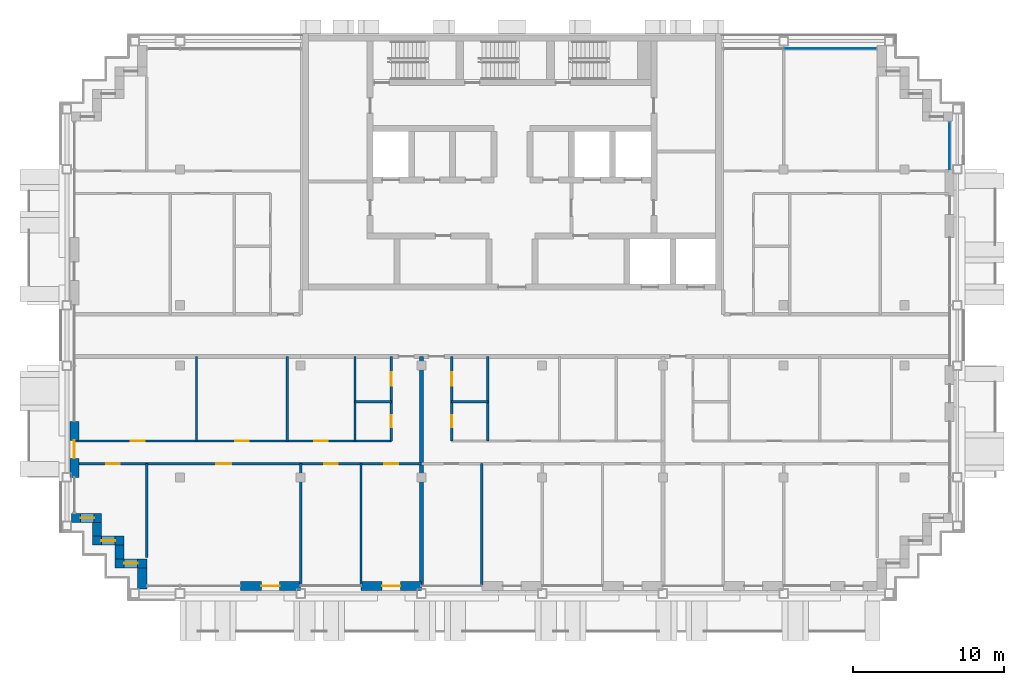
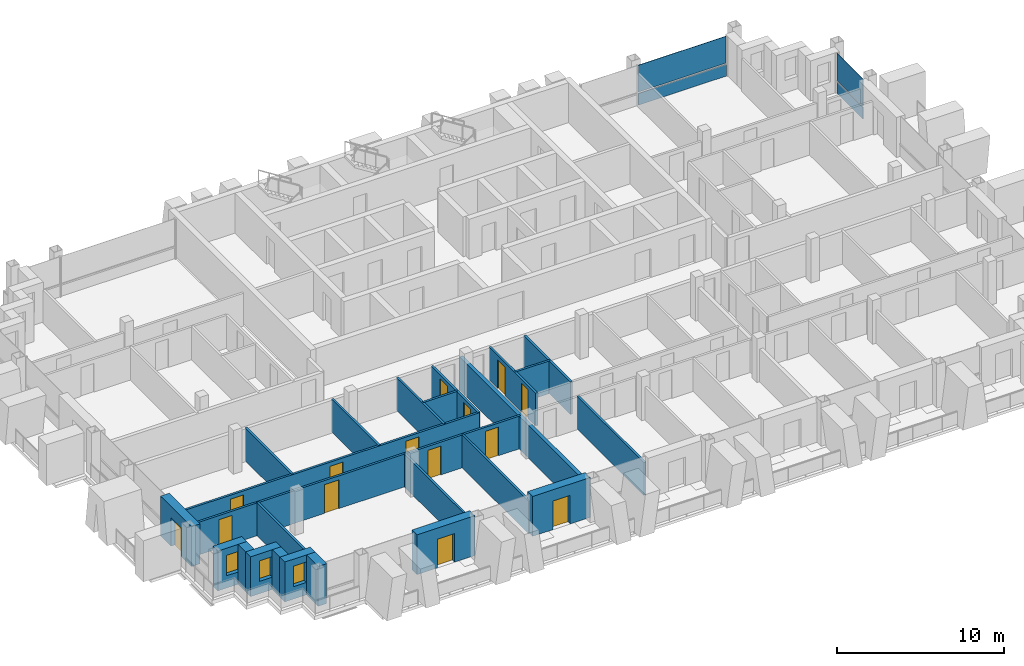
# One storey, part 7 of 16: 24 walls, 14 doors, 4 plates, 3 windows, 17 openings, 2 elements without a shape of their own.
"""IFC4 building model written with IfcOpenShell, lengths in metres."""

from ifc_helpers import new_model, si_unit, direction, frame, frame_2d, origin, origin_2d, place, context, subcontext, project, spatial, rectangle, extrude, material, layer, layer_set, type_object, element, fill, aggregate, save


model = new_model("IFC4")

# Units and contexts
model_context = context("Model", 3, precision=1e-05, world=origin(), true_north=direction((0.0, 1.0)))
body_context = subcontext(model_context, "Body", "Model", "MODEL_VIEW")
ifc_project = project(units=[si_unit("LENGTHUNIT", "METRE"), si_unit("AREAUNIT", "SQUARE_METRE"), si_unit("VOLUMEUNIT", "CUBIC_METRE"), si_unit("PLANEANGLEUNIT", "RADIAN"), si_unit("MASSUNIT", "GRAM", prefix="KILO")], contexts=[model_context])

# Site, building, storey
site_placement = place(None, origin())
site = spatial("IfcSite", under=ifc_project, at=site_placement, CompositionType="ELEMENT")
building_placement = place(site_placement, origin())
building = spatial("IfcBuilding", under=site, at=building_placement, Name="Vidyagriha Tower", CompositionType="ELEMENT")
storey_placement = place(building_placement, frame((0.0, 0.0, 230.0)))
storey = spatial("IfcBuildingStorey", under=building, at=storey_placement, Name="L60", CompositionType="ELEMENT", Elevation=230.0)

# Curtain wall, plate
ifc_material_1 = material(Name="Aluminium and glass curtain wall", Category="aluminium")
curtain_wall_type = type_object("IfcCurtainWallType", Name="Dwelling skin unitised curtain wall", PredefinedType="USERDEFINED", material=ifc_material_1)
curtain_wall_1_placement = place(storey_placement, origin())
curtain_wall_1 = element("IfcCurtainWall", 1, at=curtain_wall_1_placement, inside=storey, type_object=curtain_wall_type, Name="CW1 dwelling skin", ObjectType="UNITISED", PredefinedType="USERDEFINED")
ifc_material_2 = material(Name="Glass dark ceramic-fritted spandrel", Category="glass")
ifc_layer_1 = layer(ifc_material_2, 0.0400390625)
ifc_layer_set_1 = layer_set([ifc_layer_1], Name="Glass dark ceramic-fritted spandrel")
plate_type_1 = type_object("IfcPlateType", Name="Ceramic-fritted spandrel panel", PredefinedType="CURTAIN_PANEL", material=ifc_layer_set_1)
plate_1_placement = place(storey_placement, frame((21.08251953125, 19.0, 0.0), z_axis=(0.0, 0.0, 1.0), x_axis=(-1.0, 0.0, 0.0)))
plate_1 = element("IfcPlate", 2, at=plate_1_placement, type_object=plate_type_1, Name="CW1 panel 1.1", PredefinedType="CURTAIN_PANEL", context=body_context, shape_type="SweptSolid", body=[
    extrude(rectangle(XDim=6.094970703125, YDim=0.0400390625, at=origin_2d()), origin(), (0.0, 0.0, 1.0), 0.85009765625),
])

curtain_wall_2_placement = place(storey_placement, origin())
curtain_wall_2 = element("IfcCurtainWall", 3, at=curtain_wall_2_placement, inside=storey, type_object=curtain_wall_type, Name="CW1 dwelling skin", ObjectType="UNITISED", PredefinedType="USERDEFINED")
plate_2_placement = place(storey_placement, frame((29.0, 12.56494140625, 0.0), z_axis=(0.0, 0.0, 1.0), x_axis=(0.0, 1.0, 0.0)))
plate_2 = element("IfcPlate", 4, at=plate_2_placement, type_object=plate_type_1, Name="CW1 panel 1.1", PredefinedType="CURTAIN_PANEL", context=body_context, shape_type="SweptSolid", body=[
    extrude(rectangle(XDim=3.1298828125, YDim=0.0400390625, at=origin_2d()), origin(), (0.0, 0.0, 1.0), 0.85009765625),
])

# Plate
ifc_material_3 = material(Name="Glass dark ceramic-fritted", Category="glass")
ifc_layer_2 = layer(ifc_material_3, 0.028076171875)
ifc_layer_set_2 = layer_set([ifc_layer_2], Name="Glass dark ceramic-fritted")
plate_type_2 = type_object("IfcPlateType", Name="Dark ceramic-fritted vision glass panel", PredefinedType="CURTAIN_PANEL", material=ifc_layer_set_2)
plate_3_placement = place(storey_placement, frame((21.08251953125, 19.0, 0.9501953125), z_axis=(0.0, 0.0, 1.0), x_axis=(-1.0, 0.0, 0.0)))
plate_3 = element("IfcPlate", 5, at=plate_3_placement, type_object=plate_type_2, Name="CW1 panel 1.2", PredefinedType="CURTAIN_PANEL", context=body_context, shape_type="SweptSolid", body=[
    extrude(rectangle(XDim=6.094970703125, YDim=0.028076171875, at=origin_2d()), origin(), (0.0, 0.0, 1.0), 1.969970703125),
])

aggregate(curtain_wall_1, [plate_1, plate_3])

plate_4_placement = place(storey_placement, frame((29.0, 12.56494140625, 0.9501953125), z_axis=(0.0, 0.0, 1.0), x_axis=(0.0, 1.0, 0.0)))
plate_4 = element("IfcPlate", 6, at=plate_4_placement, type_object=plate_type_2, Name="CW1 panel 1.2", PredefinedType="CURTAIN_PANEL", context=body_context, shape_type="SweptSolid", body=[
    extrude(rectangle(XDim=3.1298828125, YDim=0.028076171875, at=origin_2d()), origin(), (0.0, 0.0, 1.0), 1.969970703125),
])

aggregate(curtain_wall_2, [plate_2, plate_4])

# Wall, opening, door
ifc_material_4 = material(Name="Precast concrete C40/50 with brick facing", Category="concrete")
ifc_layer_3 = layer(ifc_material_4, 0.60009765625)
ifc_layer_set_3 = layer_set([ifc_layer_3], Name="Precast concrete C40/50 with brick facing")
wall_type_1 = type_object("IfcWallType", Name="Brick-faced precast wall 600", PredefinedType="STANDARD", material=ifc_layer_set_3)
wall_1_placement = place(storey_placement, frame((-29.0, -5.699951171875, 0.0), z_axis=(0.0, 0.0, 1.0), x_axis=(0.0, -1.0, 0.0)))
wall_1 = element("IfcWall", 7, at=wall_1_placement, inside=storey, type_object=wall_type_1, Name="Brick door bay wall L60 R16.6", PredefinedType="STANDARD", context=body_context, shape_type="SweptSolid", body=[
    extrude(rectangle(XDim=3.699951171875, YDim=0.60009765625, at=frame_2d((1.85009765625, 0.0))), origin(), (0.0, 0.0, 1.0), 2.919921875),
])
opening_1_placement = place(wall_1_placement, frame((1.25, 0.0, 0.0)))
opening_1 = element("IfcOpeningElement", 8, at=opening_1_placement, cuts=wall_1, Name="Opening D60-61", PredefinedType="OPENING", context=body_context, shape_type="SweptSolid", body=[
    extrude(rectangle(XDim=1.199951171875, YDim=2.10009765625, at=frame_2d((0.60009765625, 1.050048828125))), frame((0.0, 0.31005859375, 0.0), z_axis=(0.0, -1.0, 0.0), x_axis=(1.0, 0.0, 0.0)), (0.0, 0.0, 1.0), 0.6201171875),
])
ifc_material_5 = material(Name="Aluminium framed glazed sliding door", Category="aluminium")
door_type_1 = type_object("IfcDoorType", Name="Balcony sliding door 1200x2100", OperationType="NOTDEFINED", PredefinedType="DOOR", material=ifc_material_5)
door_1_placement = place(opening_1_placement, origin())
door_1 = element("IfcDoor", 9, at=door_1_placement, inside=storey, type_object=door_type_1, Name="Door D60-61", OperationType="SLIDING_TO_LEFT", OverallHeight=2.10009765625, OverallWidth=1.199951171875, PredefinedType="DOOR", context=body_context, shape_type="SweptSolid", body=[
    extrude(rectangle(XDim=1.199951171875, YDim=2.10009765625, at=frame_2d((0.60009765625, 1.050048828125))), frame((0.0, 0.02490234375, 0.0), z_axis=(0.0, -1.0, 0.0), x_axis=(1.0, 0.0, 0.0)), (0.0, 0.0, 1.0), 0.050048828125),
])
fill(opening_1, door_1)

# Wall, opening, window
wall_2_placement = place(storey_placement, frame((-29.199951171875, -12.10009765625, 0.0)))
wall_2 = element("IfcWall", 10, at=wall_2_placement, inside=storey, type_object=wall_type_1, Name="Stepped corner wall L60 R17", PredefinedType="STANDARD", context=body_context, shape_type="SweptSolid", body=[
    extrude(rectangle(XDim=2.0, YDim=0.60009765625, at=frame_2d((1.0, 0.0))), origin(), (0.0, 0.0, 1.0), 2.919921875),
])
opening_2_placement = place(wall_2_placement, frame((0.610107421875, 0.0, 0.89990234375)))
opening_2 = element("IfcOpeningElement", 11, at=opening_2_placement, cuts=wall_2, Name="Opening WN1", PredefinedType="OPENING", context=body_context, shape_type="SweptSolid", body=[
    extrude(rectangle(XDim=0.89990234375, YDim=1.5, at=frame_2d((0.449951171875, 0.75))), frame((0.0, 0.31005859375, 0.0), z_axis=(0.0, -1.0, 0.0), x_axis=(1.0, 0.0, 0.0)), (0.0, 0.0, 1.0), 0.6201171875),
])
ifc_material_6 = material(Name="Aluminium and glass window", Category="aluminium")
window_type = type_object("IfcWindowType", Name="Reveal window 900x1500", PartitioningType="NOTDEFINED", PredefinedType="WINDOW", material=ifc_material_6)
window_1_placement = place(opening_2_placement, origin())
window_1 = element("IfcWindow", 12, at=window_1_placement, inside=storey, type_object=window_type, Name="Reveal window L60 R17", OverallHeight=1.5, OverallWidth=0.89990234375, PartitioningType="SINGLE_PANEL", PredefinedType="WINDOW", context=body_context, shape_type="SweptSolid", body=[
    extrude(rectangle(XDim=0.89990234375, YDim=1.5, at=frame_2d((0.449951171875, 0.75))), frame((0.0, 0.030029296875, 0.0), z_axis=(0.0, -1.0, 0.0), x_axis=(1.0, 0.0, 0.0)), (0.0, 0.0, 1.0), 0.06005859375),
])
fill(opening_2, window_1)

# Wall
wall_3_placement = place(storey_placement, frame((-27.5, -12.39990234375, 0.0), z_axis=(0.0, 0.0, 1.0), x_axis=(0.0, -1.0, 0.0)))
element("IfcWall", 13, at=wall_3_placement, inside=storey, type_object=wall_type_1, Name="Stepped corner wall L60 R18", PredefinedType="STANDARD", context=body_context, shape_type="SweptSolid", body=[
    extrude(rectangle(XDim=0.900146484375, YDim=0.60009765625, at=frame_2d((0.4501953125, 0.0))), origin(), (0.0, 0.0, 1.0), 2.919921875),
])

# Wall, opening, window
wall_4_placement = place(storey_placement, frame((-27.800048828125, -13.60009765625, 0.0)))
wall_4 = element("IfcWall", 14, at=wall_4_placement, inside=storey, type_object=wall_type_1, Name="Stepped corner wall L60 R19", PredefinedType="STANDARD", context=body_context, shape_type="SweptSolid", body=[
    extrude(rectangle(XDim=2.10009765625, YDim=0.60009765625, at=frame_2d((1.050048828125, 0.0))), origin(), (0.0, 0.0, 1.0), 2.919921875),
])
opening_3_placement = place(wall_4_placement, frame((0.60009765625, 0.0, 0.89990234375)))
opening_3 = element("IfcOpeningElement", 15, at=opening_3_placement, cuts=wall_4, Name="Opening WN1", PredefinedType="OPENING", context=body_context, shape_type="SweptSolid", body=[
    extrude(rectangle(XDim=0.89990234375, YDim=1.5, at=frame_2d((0.449951171875, 0.75))), frame((0.0, 0.31005859375, 0.0), z_axis=(0.0, -1.0, 0.0), x_axis=(1.0, 0.0, 0.0)), (0.0, 0.0, 1.0), 0.6201171875),
])
window_2_placement = place(opening_3_placement, origin())
window_2 = element("IfcWindow", 16, at=window_2_placement, inside=storey, type_object=window_type, Name="Reveal window L60 R19", OverallHeight=1.5, OverallWidth=0.89990234375, PartitioningType="SINGLE_PANEL", PredefinedType="WINDOW", context=body_context, shape_type="SweptSolid", body=[
    extrude(rectangle(XDim=0.89990234375, YDim=1.5, at=frame_2d((0.449951171875, 0.75))), frame((0.0, 0.030029296875, 0.0), z_axis=(0.0, -1.0, 0.0), x_axis=(1.0, 0.0, 0.0)), (0.0, 0.0, 1.0), 0.06005859375),
])
fill(opening_3, window_2)

# Wall
wall_5_placement = place(storey_placement, frame((-26.0, -13.89990234375, 0.0), z_axis=(0.0, 0.0, 1.0), x_axis=(0.0, -1.0, 0.0)))
element("IfcWall", 17, at=wall_5_placement, inside=storey, type_object=wall_type_1, Name="Stepped corner wall L60 R20", PredefinedType="STANDARD", context=body_context, shape_type="SweptSolid", body=[
    extrude(rectangle(XDim=0.900146484375, YDim=0.60009765625, at=frame_2d((0.4501953125, 0.0))), origin(), (0.0, 0.0, 1.0), 2.919921875),
])

# Wall, opening, window
wall_6_placement = place(storey_placement, frame((-26.300048828125, -15.10009765625, 0.0)))
wall_6 = element("IfcWall", 18, at=wall_6_placement, inside=storey, type_object=wall_type_1, Name="Stepped corner wall L60 R21", PredefinedType="STANDARD", context=body_context, shape_type="SweptSolid", body=[
    extrude(rectangle(XDim=2.10009765625, YDim=0.60009765625, at=frame_2d((1.050048828125, 0.0))), origin(), (0.0, 0.0, 1.0), 2.919921875),
])
opening_4_placement = place(wall_6_placement, frame((0.60009765625, 0.0, 0.89990234375)))
opening_4 = element("IfcOpeningElement", 19, at=opening_4_placement, cuts=wall_6, Name="Opening WN1", PredefinedType="OPENING", context=body_context, shape_type="SweptSolid", body=[
    extrude(rectangle(XDim=0.89990234375, YDim=1.5, at=frame_2d((0.449951171875, 0.75))), frame((0.0, 0.31005859375, 0.0), z_axis=(0.0, -1.0, 0.0), x_axis=(1.0, 0.0, 0.0)), (0.0, 0.0, 1.0), 0.6201171875),
])
window_3_placement = place(opening_4_placement, origin())
window_3 = element("IfcWindow", 20, at=window_3_placement, inside=storey, type_object=window_type, Name="Reveal window L60 R21", OverallHeight=1.5, OverallWidth=0.89990234375, PartitioningType="SINGLE_PANEL", PredefinedType="WINDOW", context=body_context, shape_type="SweptSolid", body=[
    extrude(rectangle(XDim=0.89990234375, YDim=1.5, at=frame_2d((0.449951171875, 0.75))), frame((0.0, 0.030029296875, 0.0), z_axis=(0.0, -1.0, 0.0), x_axis=(1.0, 0.0, 0.0)), (0.0, 0.0, 1.0), 0.06005859375),
])
fill(opening_4, window_3)

# Wall
wall_7_placement = place(storey_placement, frame((-24.5, -15.39990234375, 0.0), z_axis=(0.0, 0.0, 1.0), x_axis=(0.0, -1.0, 0.0)))
element("IfcWall", 21, at=wall_7_placement, inside=storey, type_object=wall_type_1, Name="Stepped corner wall L60 R22", PredefinedType="STANDARD", context=body_context, shape_type="SweptSolid", body=[
    extrude(rectangle(XDim=1.400146484375, YDim=0.60009765625, at=frame_2d((0.7001953125, 0.0))), origin(), (0.0, 0.0, 1.0), 2.919921875),
])

# Wall, opening, door
wall_8_placement = place(storey_placement, frame((-18.0, -16.60009765625, 0.0)))
wall_8 = element("IfcWall", 22, at=wall_8_placement, inside=storey, type_object=wall_type_1, Name="Brick door bay wall L60 R23.3", PredefinedType="STANDARD", context=body_context, shape_type="SweptSolid", body=[
    extrude(rectangle(XDim=4.0, YDim=0.60009765625, at=frame_2d((2.0, 0.0))), origin(), (0.0, 0.0, 1.0), 2.919921875),
])
opening_5_placement = place(wall_8_placement, frame((1.39990234375, 0.0, 0.0)))
opening_5 = element("IfcOpeningElement", 23, at=opening_5_placement, cuts=wall_8, Name="Opening D60-62", PredefinedType="OPENING", context=body_context, shape_type="SweptSolid", body=[
    extrude(rectangle(XDim=1.199951171875, YDim=2.10009765625, at=frame_2d((0.60009765625, 1.050048828125))), frame((0.0, 0.31005859375, 0.0), z_axis=(0.0, -1.0, 0.0), x_axis=(1.0, 0.0, 0.0)), (0.0, 0.0, 1.0), 0.6201171875),
])
door_2_placement = place(opening_5_placement, origin())
door_2 = element("IfcDoor", 24, at=door_2_placement, inside=storey, type_object=door_type_1, Name="Door D60-62", OperationType="SLIDING_TO_LEFT", OverallHeight=2.10009765625, OverallWidth=1.199951171875, PredefinedType="DOOR", context=body_context, shape_type="SweptSolid", body=[
    extrude(rectangle(XDim=1.199951171875, YDim=2.10009765625, at=frame_2d((0.60009765625, 1.050048828125))), frame((0.0, 0.02490234375, 0.0), z_axis=(0.0, -1.0, 0.0), x_axis=(1.0, 0.0, 0.0)), (0.0, 0.0, 1.0), 0.050048828125),
])
fill(opening_5, door_2)

wall_9_placement = place(storey_placement, frame((-10.0, -16.60009765625, 0.0)))
wall_9 = element("IfcWall", 25, at=wall_9_placement, inside=storey, type_object=wall_type_1, Name="Brick door bay wall L60 R23.5", PredefinedType="STANDARD", context=body_context, shape_type="SweptSolid", body=[
    extrude(rectangle(XDim=4.0, YDim=0.60009765625, at=frame_2d((2.0, 0.0))), origin(), (0.0, 0.0, 1.0), 2.919921875),
])
opening_6_placement = place(wall_9_placement, frame((1.39990234375, 0.0, 0.0)))
opening_6 = element("IfcOpeningElement", 26, at=opening_6_placement, cuts=wall_9, Name="Opening D60-63", PredefinedType="OPENING", context=body_context, shape_type="SweptSolid", body=[
    extrude(rectangle(XDim=1.199951171875, YDim=2.10009765625, at=frame_2d((0.60009765625, 1.050048828125))), frame((0.0, 0.31005859375, 0.0), z_axis=(0.0, -1.0, 0.0), x_axis=(1.0, 0.0, 0.0)), (0.0, 0.0, 1.0), 0.6201171875),
])
door_3_placement = place(opening_6_placement, origin())
door_3 = element("IfcDoor", 27, at=door_3_placement, inside=storey, type_object=door_type_1, Name="Door D60-63", OperationType="SLIDING_TO_LEFT", OverallHeight=2.10009765625, OverallWidth=1.199951171875, PredefinedType="DOOR", context=body_context, shape_type="SweptSolid", body=[
    extrude(rectangle(XDim=1.199951171875, YDim=2.10009765625, at=frame_2d((0.60009765625, 1.050048828125))), frame((0.0, 0.02490234375, 0.0), z_axis=(0.0, -1.0, 0.0), x_axis=(1.0, 0.0, 0.0)), (0.0, 0.0, 1.0), 0.050048828125),
])
fill(opening_6, door_3)

# Walls
ifc_material_7 = material(Name="Fired clay brick masonry", Category="masonry")
ifc_layer_4 = layer(ifc_material_7, 0.25)
ifc_layer_set_4 = layer_set([ifc_layer_4], Name="Fired clay brick masonry")
wall_type_2 = type_object("IfcWallType", Name="Fired clay brick demising wall 250", PredefinedType="PARTITIONING", material=ifc_layer_set_4)
wall_10_placement = place(storey_placement, frame((-6.0, -1.39990234375, 0.0), z_axis=(0.0, 0.0, 1.0), x_axis=(0.0, -1.0, 0.0)))
element("IfcWall", 28, at=wall_10_placement, inside=storey, type_object=wall_type_2, Name="Wall all-L60-w041", PredefinedType="PARTITIONING", context=body_context, shape_type="SweptSolid", body=[
    extrude(rectangle(XDim=15.110107421875, YDim=0.25, at=frame_2d((7.55517578125, 0.0))), origin(), (0.0, 0.0, 1.0), 2.39990234375),
])
ifc_material_8 = material(Name="Gypsum board partition")
ifc_layer_5 = layer(ifc_material_8, 0.14990234375)
ifc_layer_set_5 = layer_set([ifc_layer_5], Name="Gypsum board partition")
wall_type_3 = type_object("IfcWallType", Name="Gypsum board partition 150", PredefinedType="PARTITIONING", material=ifc_layer_set_5)
wall_11_placement = place(storey_placement, frame((-8.0, -4.39990234375, 0.0), z_axis=(0.0, 0.0, 1.0), x_axis=(-1.0, 0.0, 0.0)))
element("IfcWall", 29, at=wall_11_placement, inside=storey, type_object=wall_type_3, Name="Wall all-L60-w004", PredefinedType="PARTITIONING", context=body_context, shape_type="SweptSolid", body=[
    extrude(rectangle(XDim=2.39990234375, YDim=0.14990234375, at=frame_2d((1.199951171875, 0.0))), origin(), (0.0, 0.0, 1.0), 2.39990234375),
])
for number, where, z_axis, x_axis, name in (
    (30, (-10.39990234375, -7.0, 0.0), (0.0, 0.0, 1.0), (0.0, 1.0, 0.0), "Wall all-L60-w005"),
    (31, (-14.89990234375, -7.0, 0.0), (0.0, 0.0, 1.0), (0.0, 1.0, 0.0), "Wall all-L60-w006"),
    (32, (-20.89990234375, -7.0, 0.0), (0.0, 0.0, 1.0), (0.0, 1.0, 0.0), "Wall all-L60-w007"),
):
    element("IfcWall", number, at=place(storey_placement, frame(where, z_axis=z_axis, x_axis=x_axis)), inside=storey, type_object=wall_type_3, Name=name, PredefinedType="PARTITIONING", context=body_context, shape_type="SweptSolid", body=[
        extrude(rectangle(XDim=5.60009765625, YDim=0.14990234375, at=frame_2d((2.800048828125, 0.0))), origin(), (0.0, 0.0, 1.0), 2.39990234375),
    ])

# Wall, openings, doors
wall_12_placement = place(storey_placement, frame((-28.909912109375, -7.0, 0.0)))
wall_12 = element("IfcWall", 33, at=wall_12_placement, inside=storey, type_object=wall_type_3, Name="Wall all-L60-w008", PredefinedType="PARTITIONING", context=body_context, shape_type="SweptSolid", body=[
    extrude(rectangle(XDim=20.909912109375, YDim=0.14990234375, at=frame_2d((10.455078125, 0.0))), origin(), (0.0, 0.0, 1.0), 2.39990234375),
])
opening_7_placement = place(wall_12_placement, frame((15.81005859375, 0.0, 0.0)))
opening_7 = element("IfcOpeningElement", 34, at=opening_7_placement, cuts=wall_12, Name="Opening D60-17", PredefinedType="OPENING", context=body_context, shape_type="SweptSolid", body=[
    extrude(rectangle(XDim=0.89990234375, YDim=2.10009765625, at=frame_2d((0.449951171875, 1.050048828125))), frame((0.0, 0.0849609375, 0.0), z_axis=(0.0, -1.0, 0.0), x_axis=(1.0, 0.0, 0.0)), (0.0, 0.0, 1.0), 0.169921875),
])
opening_8_placement = place(wall_12_placement, frame((10.56005859375, 0.0, 0.0)))
opening_8 = element("IfcOpeningElement", 35, at=opening_8_placement, cuts=wall_12, Name="Opening D60-18", PredefinedType="OPENING", context=body_context, shape_type="SweptSolid", body=[
    extrude(rectangle(XDim=0.89990234375, YDim=2.10009765625, at=frame_2d((0.449951171875, 1.050048828125))), frame((0.0, 0.0849609375, 0.0), z_axis=(0.0, -1.0, 0.0), x_axis=(1.0, 0.0, 0.0)), (0.0, 0.0, 1.0), 0.169921875),
])
opening_9_placement = place(wall_12_placement, frame((3.659912109375, 0.0, 0.0)))
opening_9 = element("IfcOpeningElement", 36, at=opening_9_placement, cuts=wall_12, Name="Opening D60-19", PredefinedType="OPENING", context=body_context, shape_type="SweptSolid", body=[
    extrude(rectangle(XDim=0.89990234375, YDim=2.10009765625, at=frame_2d((0.449951171875, 1.050048828125))), frame((0.0, 0.0849609375, 0.0), z_axis=(0.0, -1.0, 0.0), x_axis=(1.0, 0.0, 0.0)), (0.0, 0.0, 1.0), 0.169921875),
])
ifc_material_9 = material(Name="Timber door leaf", Category="wood")
door_type_2 = type_object("IfcDoorType", Name="Room door 900x2100", OperationType="NOTDEFINED", PredefinedType="DOOR", material=ifc_material_9)
door_4_placement = place(opening_7_placement, origin())
door_4 = element("IfcDoor", 37, at=door_4_placement, inside=storey, type_object=door_type_2, Name="Door D60-17", OperationType="SINGLE_SWING_LEFT", OverallHeight=2.10009765625, OverallWidth=0.89990234375, PredefinedType="DOOR", context=body_context, shape_type="SweptSolid", body=[
    extrude(rectangle(XDim=0.89990234375, YDim=2.10009765625, at=frame_2d((0.449951171875, 1.050048828125))), frame((0.0, 0.02490234375, 0.0), z_axis=(0.0, -1.0, 0.0), x_axis=(1.0, 0.0, 0.0)), (0.0, 0.0, 1.0), 0.050048828125),
])
fill(opening_7, door_4)
door_5_placement = place(opening_8_placement, origin())
door_5 = element("IfcDoor", 38, at=door_5_placement, inside=storey, type_object=door_type_2, Name="Door D60-18", OperationType="SINGLE_SWING_RIGHT", OverallHeight=2.10009765625, OverallWidth=0.89990234375, PredefinedType="DOOR", context=body_context, shape_type="SweptSolid", body=[
    extrude(rectangle(XDim=0.89990234375, YDim=2.10009765625, at=frame_2d((0.449951171875, 1.050048828125))), frame((0.0, 0.02490234375, 0.0), z_axis=(0.0, -1.0, 0.0), x_axis=(1.0, 0.0, 0.0)), (0.0, 0.0, 1.0), 0.050048828125),
])
fill(opening_8, door_5)
door_6_placement = place(opening_9_placement, origin())
door_6 = element("IfcDoor", 39, at=door_6_placement, inside=storey, type_object=door_type_2, Name="Door D60-19", OperationType="SINGLE_SWING_LEFT", OverallHeight=2.10009765625, OverallWidth=0.89990234375, PredefinedType="DOOR", context=body_context, shape_type="SweptSolid", body=[
    extrude(rectangle(XDim=0.89990234375, YDim=2.10009765625, at=frame_2d((0.449951171875, 1.050048828125))), frame((0.0, 0.02490234375, 0.0), z_axis=(0.0, -1.0, 0.0), x_axis=(1.0, 0.0, 0.0)), (0.0, 0.0, 1.0), 0.050048828125),
])
fill(opening_9, door_6)

wall_13_placement = place(storey_placement, frame((-6.0, -8.5, 0.0), z_axis=(0.0, 0.0, 1.0), x_axis=(-1.0, 0.0, 0.0)))
wall_13 = element("IfcWall", 40, at=wall_13_placement, inside=storey, type_object=wall_type_3, Name="Wall all-L60-w012", PredefinedType="PARTITIONING", context=body_context, shape_type="SweptSolid", body=[
    extrude(rectangle(XDim=22.909912109375, YDim=0.14990234375, at=frame_2d((11.455078125, 0.0))), origin(), (0.0, 0.0, 1.0), 2.39990234375),
])
opening_10_placement = place(wall_13_placement, frame((20.0, 0.0, 0.0)))
opening_10 = element("IfcOpeningElement", 41, at=opening_10_placement, cuts=wall_13, Name="Opening D60-20", PredefinedType="OPENING", context=body_context, shape_type="SweptSolid", body=[
    extrude(rectangle(XDim=0.89990234375, YDim=2.10009765625, at=frame_2d((0.449951171875, 1.050048828125))), frame((0.0, 0.0849609375, 0.0), z_axis=(0.0, -1.0, 0.0), x_axis=(1.0, 0.0, 0.0)), (0.0, 0.0, 1.0), 0.169921875),
])
opening_11_placement = place(wall_13_placement, frame((12.60009765625, 0.0, 0.0)))
opening_11 = element("IfcOpeningElement", 42, at=opening_11_placement, cuts=wall_13, Name="Opening D60-21", PredefinedType="OPENING", context=body_context, shape_type="SweptSolid", body=[
    extrude(rectangle(XDim=1.0, YDim=2.10009765625, at=frame_2d((0.5, 1.050048828125))), frame((0.0, 0.0849609375, 0.0), z_axis=(0.0, -1.0, 0.0), x_axis=(1.0, 0.0, 0.0)), (0.0, 0.0, 1.0), 0.169921875),
])
opening_12_placement = place(wall_13_placement, frame((5.550048828125, 0.0, 0.0)))
opening_12 = element("IfcOpeningElement", 43, at=opening_12_placement, cuts=wall_13, Name="Opening D60-22", PredefinedType="OPENING", context=body_context, shape_type="SweptSolid", body=[
    extrude(rectangle(XDim=0.89990234375, YDim=2.10009765625, at=frame_2d((0.449951171875, 1.050048828125))), frame((0.0, 0.0849609375, 0.0), z_axis=(0.0, -1.0, 0.0), x_axis=(1.0, 0.0, 0.0)), (0.0, 0.0, 1.0), 0.169921875),
])
opening_13_placement = place(wall_13_placement, frame((1.550048828125, 0.0, 0.0)))
opening_13 = element("IfcOpeningElement", 44, at=opening_13_placement, cuts=wall_13, Name="Opening D60-23", PredefinedType="OPENING", context=body_context, shape_type="SweptSolid", body=[
    extrude(rectangle(XDim=0.89990234375, YDim=2.10009765625, at=frame_2d((0.449951171875, 1.050048828125))), frame((0.0, 0.0849609375, 0.0), z_axis=(0.0, -1.0, 0.0), x_axis=(1.0, 0.0, 0.0)), (0.0, 0.0, 1.0), 0.169921875),
])
ifc_material_10 = material(Name="Timber door leaf", Category="wood")
door_type_3 = type_object("IfcDoorType", Name="Room door 1000x2100", OperationType="NOTDEFINED", PredefinedType="DOOR", material=ifc_material_10)
door_7_placement = place(opening_11_placement, origin())
door_7 = element("IfcDoor", 45, at=door_7_placement, inside=storey, type_object=door_type_3, Name="Door D60-21", OperationType="SINGLE_SWING_RIGHT", OverallHeight=2.10009765625, OverallWidth=1.0, PredefinedType="DOOR", context=body_context, shape_type="SweptSolid", body=[
    extrude(rectangle(XDim=1.0, YDim=2.10009765625, at=frame_2d((0.5, 1.050048828125))), frame((0.0, 0.02490234375, 0.0), z_axis=(0.0, -1.0, 0.0), x_axis=(1.0, 0.0, 0.0)), (0.0, 0.0, 1.0), 0.050048828125),
])
fill(opening_11, door_7)
door_8_placement = place(opening_10_placement, origin())
door_8 = element("IfcDoor", 46, at=door_8_placement, inside=storey, type_object=door_type_2, Name="Door D60-20", OperationType="SINGLE_SWING_RIGHT", OverallHeight=2.10009765625, OverallWidth=0.89990234375, PredefinedType="DOOR", context=body_context, shape_type="SweptSolid", body=[
    extrude(rectangle(XDim=0.89990234375, YDim=2.10009765625, at=frame_2d((0.449951171875, 1.050048828125))), frame((0.0, 0.02490234375, 0.0), z_axis=(0.0, -1.0, 0.0), x_axis=(1.0, 0.0, 0.0)), (0.0, 0.0, 1.0), 0.050048828125),
])
fill(opening_10, door_8)
door_9_placement = place(opening_12_placement, origin())
door_9 = element("IfcDoor", 47, at=door_9_placement, inside=storey, type_object=door_type_2, Name="Door D60-22", OperationType="SINGLE_SWING_RIGHT", OverallHeight=2.10009765625, OverallWidth=0.89990234375, PredefinedType="DOOR", context=body_context, shape_type="SweptSolid", body=[
    extrude(rectangle(XDim=0.89990234375, YDim=2.10009765625, at=frame_2d((0.449951171875, 1.050048828125))), frame((0.0, 0.02490234375, 0.0), z_axis=(0.0, -1.0, 0.0), x_axis=(1.0, 0.0, 0.0)), (0.0, 0.0, 1.0), 0.050048828125),
])
fill(opening_12, door_9)
door_10_placement = place(opening_13_placement, origin())
door_10 = element("IfcDoor", 48, at=door_10_placement, inside=storey, type_object=door_type_2, Name="Door D60-23", OperationType="SINGLE_SWING_RIGHT", OverallHeight=2.10009765625, OverallWidth=0.89990234375, PredefinedType="DOOR", context=body_context, shape_type="SweptSolid", body=[
    extrude(rectangle(XDim=0.89990234375, YDim=2.10009765625, at=frame_2d((0.449951171875, 1.050048828125))), frame((0.0, 0.02490234375, 0.0), z_axis=(0.0, -1.0, 0.0), x_axis=(1.0, 0.0, 0.0)), (0.0, 0.0, 1.0), 0.050048828125),
])
fill(opening_13, door_10)

# Walls
wall_14_placement = place(storey_placement, frame((-24.199951171875, -8.5, 0.0), z_axis=(0.0, 0.0, 1.0), x_axis=(0.0, -1.0, 0.0)))
element("IfcWall", 49, at=wall_14_placement, inside=storey, type_object=wall_type_3, Name="Wall all-L60-w017", PredefinedType="PARTITIONING", context=body_context, shape_type="SweptSolid", body=[
    extrude(rectangle(XDim=6.219970703125, YDim=0.14990234375, at=frame_2d((3.10986328125, 0.0))), origin(), (0.0, 0.0, 1.0), 2.39990234375),
])
wall_15_placement = place(storey_placement, frame((-14.0, -8.5, 0.0), z_axis=(0.0, 0.0, 1.0), x_axis=(0.0, -1.0, 0.0)))
element("IfcWall", 50, at=wall_15_placement, inside=storey, type_object=wall_type_3, Name="Wall all-L60-w018", PredefinedType="PARTITIONING", context=body_context, shape_type="SweptSolid", body=[
    extrude(rectangle(XDim=8.010009765625, YDim=0.14990234375, at=frame_2d((4.0048828125, 0.0))), origin(), (0.0, 0.0, 1.0), 2.39990234375),
])
wall_16_placement = place(storey_placement, frame((-10.0, -8.5, 0.0), z_axis=(0.0, 0.0, 1.0), x_axis=(0.0, -1.0, 0.0)))
element("IfcWall", 51, at=wall_16_placement, inside=storey, type_object=wall_type_3, Name="Wall all-L60-w019", PredefinedType="PARTITIONING", context=body_context, shape_type="SweptSolid", body=[
    extrude(rectangle(XDim=8.02099609375, YDim=0.14990234375, at=frame_2d((4.010498046875, 0.0))), origin(), (0.0, 0.0, 1.0), 2.39990234375),
])
wall_17_placement = place(storey_placement, frame((-1.60009765625, -4.39990234375, 0.0), z_axis=(0.0, 0.0, 1.0), x_axis=(-1.0, 0.0, 0.0)))
element("IfcWall", 52, at=wall_17_placement, inside=storey, type_object=wall_type_3, Name="Wall all-L60-w024", PredefinedType="PARTITIONING", context=body_context, shape_type="SweptSolid", body=[
    extrude(rectangle(XDim=2.39990234375, YDim=0.14990234375, at=frame_2d((1.199951171875, 0.0))), origin(), (0.0, 0.0, 1.0), 2.39990234375),
])
wall_18_placement = place(storey_placement, frame((-1.60009765625, -1.39990234375, 0.0), z_axis=(0.0, 0.0, 1.0), x_axis=(0.0, -1.0, 0.0)))
element("IfcWall", 53, at=wall_18_placement, inside=storey, type_object=wall_type_3, Name="Wall all-L60-w025", PredefinedType="PARTITIONING", context=body_context, shape_type="SweptSolid", body=[
    extrude(rectangle(XDim=5.60009765625, YDim=0.14990234375, at=frame_2d((2.800048828125, 0.0))), origin(), (0.0, 0.0, 1.0), 2.39990234375),
])
wall_19_placement = place(storey_placement, frame((-2.0, -8.5, 0.0), z_axis=(0.0, 0.0, 1.0), x_axis=(0.0, -1.0, 0.0)))
element("IfcWall", 54, at=wall_19_placement, inside=storey, type_object=wall_type_3, Name="Wall all-L60-w037", PredefinedType="PARTITIONING", context=body_context, shape_type="SweptSolid", body=[
    extrude(rectangle(XDim=8.02099609375, YDim=0.14990234375, at=frame_2d((4.010498046875, 0.0))), origin(), (0.0, 0.0, 1.0), 2.39990234375),
])

# Wall, openings, doors
ifc_material_11 = material(Name="Moisture resistant gypsum board partition")
ifc_layer_6 = layer(ifc_material_11, 0.14990234375)
ifc_layer_set_6 = layer_set([ifc_layer_6], Name="Moisture resistant gypsum board partition")
wall_type_4 = type_object("IfcWallType", Name="Gypsum board wet-area partition 150", PredefinedType="PARTITIONING", material=ifc_layer_set_6)
wall_20_placement = place(storey_placement, frame((-8.0, -7.0, 0.0), z_axis=(0.0, 0.0, 1.0), x_axis=(0.0, 1.0, 0.0)))
wall_20 = element("IfcWall", 55, at=wall_20_placement, inside=storey, type_object=wall_type_4, Name="Wall all-L60-w001", PredefinedType="PARTITIONING", context=body_context, shape_type="SweptSolid", body=[
    extrude(rectangle(XDim=5.60009765625, YDim=0.14990234375, at=frame_2d((2.800048828125, 0.0))), origin(), (0.0, 0.0, 1.0), 2.39990234375),
])
opening_14_placement = place(wall_20_placement, frame((3.64990234375, 0.0, 0.0)))
opening_14 = element("IfcOpeningElement", 56, at=opening_14_placement, cuts=wall_20, Name="Opening D60-15", PredefinedType="OPENING", context=body_context, shape_type="SweptSolid", body=[
    extrude(rectangle(XDim=0.89990234375, YDim=2.10009765625, at=frame_2d((0.449951171875, 1.050048828125))), frame((0.0, 0.0849609375, 0.0), z_axis=(0.0, -1.0, 0.0), x_axis=(1.0, 0.0, 0.0)), (0.0, 0.0, 1.0), 0.169921875),
])
opening_15_placement = place(wall_20_placement, frame((0.89990234375, 0.0, 0.0)))
opening_15 = element("IfcOpeningElement", 57, at=opening_15_placement, cuts=wall_20, Name="Opening D60-16", PredefinedType="OPENING", context=body_context, shape_type="SweptSolid", body=[
    extrude(rectangle(XDim=0.800048828125, YDim=2.10009765625, at=frame_2d((0.39990234375, 1.050048828125))), frame((0.0, 0.0849609375, 0.0), z_axis=(0.0, -1.0, 0.0), x_axis=(1.0, 0.0, 0.0)), (0.0, 0.0, 1.0), 0.169921875),
])
ifc_material_12 = material(Name="Timber door leaf", Category="wood")
door_type_4 = type_object("IfcDoorType", Name="Bathroom door 800x2100", OperationType="NOTDEFINED", PredefinedType="DOOR", material=ifc_material_12)
door_11_placement = place(opening_15_placement, origin())
door_11 = element("IfcDoor", 58, at=door_11_placement, inside=storey, type_object=door_type_4, Name="Door D60-16", OperationType="SINGLE_SWING_RIGHT", OverallHeight=2.10009765625, OverallWidth=0.800048828125, PredefinedType="DOOR", context=body_context, shape_type="SweptSolid", body=[
    extrude(rectangle(XDim=0.800048828125, YDim=2.10009765625, at=frame_2d((0.39990234375, 1.050048828125))), frame((0.0, 0.02490234375, 0.0), z_axis=(0.0, -1.0, 0.0), x_axis=(1.0, 0.0, 0.0)), (0.0, 0.0, 1.0), 0.050048828125),
])
fill(opening_15, door_11)
ifc_material_13 = material(Name="Timber door leaf", Category="wood")
door_type_5 = type_object("IfcDoorType", Name="Kitchen door 900x2100", OperationType="NOTDEFINED", PredefinedType="DOOR", material=ifc_material_13)
door_12_placement = place(opening_14_placement, origin())
door_12 = element("IfcDoor", 59, at=door_12_placement, inside=storey, type_object=door_type_5, Name="Door D60-15", OperationType="SINGLE_SWING_LEFT", OverallHeight=2.10009765625, OverallWidth=0.89990234375, PredefinedType="DOOR", context=body_context, shape_type="SweptSolid", body=[
    extrude(rectangle(XDim=0.89990234375, YDim=2.10009765625, at=frame_2d((0.449951171875, 1.050048828125))), frame((0.0, 0.02490234375, 0.0), z_axis=(0.0, -1.0, 0.0), x_axis=(1.0, 0.0, 0.0)), (0.0, 0.0, 1.0), 0.050048828125),
])
fill(opening_14, door_12)

wall_21_placement = place(storey_placement, frame((-4.0, -1.39990234375, 0.0), z_axis=(0.0, 0.0, 1.0), x_axis=(0.0, -1.0, 0.0)))
wall_21 = element("IfcWall", 60, at=wall_21_placement, inside=storey, type_object=wall_type_4, Name="Wall all-L60-w021", PredefinedType="PARTITIONING", context=body_context, shape_type="SweptSolid", body=[
    extrude(rectangle(XDim=5.60009765625, YDim=0.14990234375, at=frame_2d((2.800048828125, 0.0))), origin(), (0.0, 0.0, 1.0), 2.39990234375),
])
opening_16_placement = place(wall_21_placement, frame((1.050048828125, 0.0, 0.0)))
opening_16 = element("IfcOpeningElement", 61, at=opening_16_placement, cuts=wall_21, Name="Opening D60-25", PredefinedType="OPENING", context=body_context, shape_type="SweptSolid", body=[
    extrude(rectangle(XDim=0.89990234375, YDim=2.10009765625, at=frame_2d((0.449951171875, 1.050048828125))), frame((0.0, 0.0849609375, 0.0), z_axis=(0.0, -1.0, 0.0), x_axis=(1.0, 0.0, 0.0)), (0.0, 0.0, 1.0), 0.169921875),
])
opening_17_placement = place(wall_21_placement, frame((3.89990234375, 0.0, 0.0)))
opening_17 = element("IfcOpeningElement", 62, at=opening_17_placement, cuts=wall_21, Name="Opening D60-26", PredefinedType="OPENING", context=body_context, shape_type="SweptSolid", body=[
    extrude(rectangle(XDim=0.800048828125, YDim=2.10009765625, at=frame_2d((0.39990234375, 1.050048828125))), frame((0.0, 0.0849609375, 0.0), z_axis=(0.0, -1.0, 0.0), x_axis=(1.0, 0.0, 0.0)), (0.0, 0.0, 1.0), 0.169921875),
])
door_13_placement = place(opening_17_placement, origin())
door_13 = element("IfcDoor", 63, at=door_13_placement, inside=storey, type_object=door_type_4, Name="Door D60-26", OperationType="SINGLE_SWING_RIGHT", OverallHeight=2.10009765625, OverallWidth=0.800048828125, PredefinedType="DOOR", context=body_context, shape_type="SweptSolid", body=[
    extrude(rectangle(XDim=0.800048828125, YDim=2.10009765625, at=frame_2d((0.39990234375, 1.050048828125))), frame((0.0, 0.02490234375, 0.0), z_axis=(0.0, -1.0, 0.0), x_axis=(1.0, 0.0, 0.0)), (0.0, 0.0, 1.0), 0.050048828125),
])
fill(opening_17, door_13)
door_14_placement = place(opening_16_placement, origin())
door_14 = element("IfcDoor", 64, at=door_14_placement, inside=storey, type_object=door_type_5, Name="Door D60-25", OperationType="SINGLE_SWING_LEFT", OverallHeight=2.10009765625, OverallWidth=0.89990234375, PredefinedType="DOOR", context=body_context, shape_type="SweptSolid", body=[
    extrude(rectangle(XDim=0.89990234375, YDim=2.10009765625, at=frame_2d((0.449951171875, 1.050048828125))), frame((0.0, 0.02490234375, 0.0), z_axis=(0.0, -1.0, 0.0), x_axis=(1.0, 0.0, 0.0)), (0.0, 0.0, 1.0), 0.050048828125),
])
fill(opening_16, door_14)

save(model, "model.ifc")
